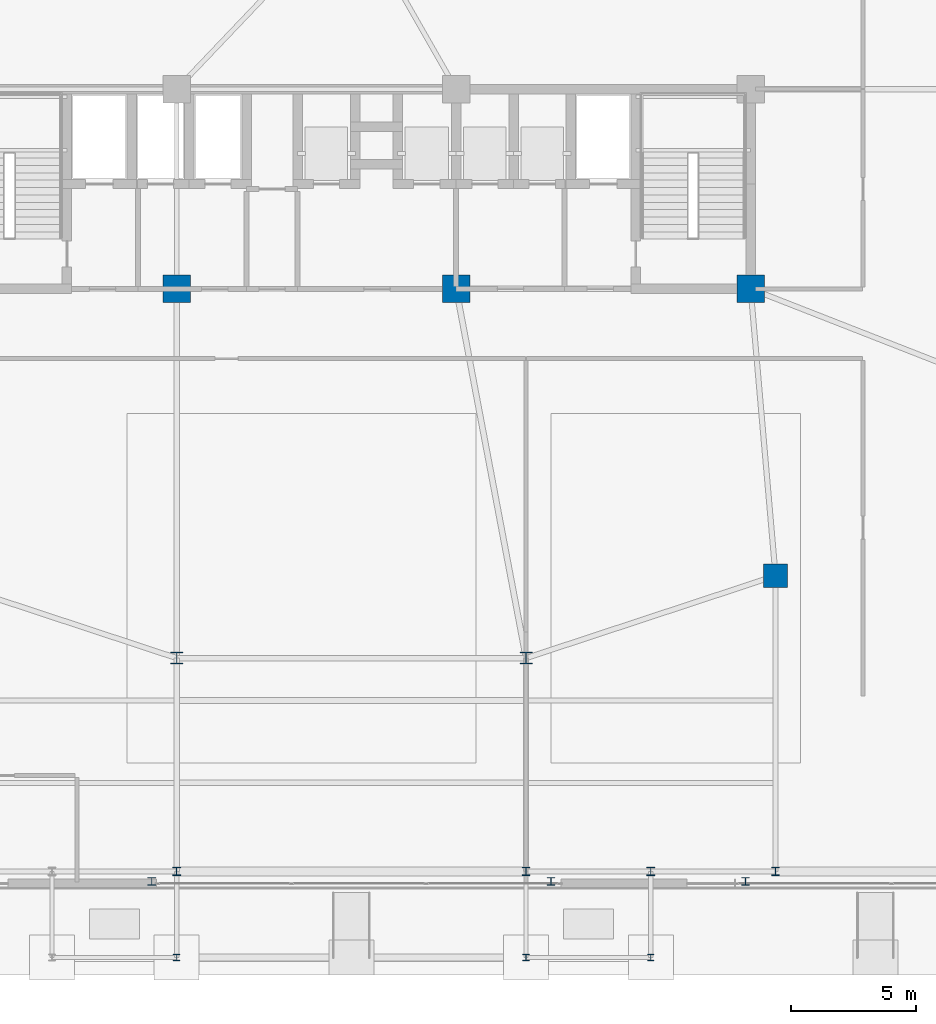
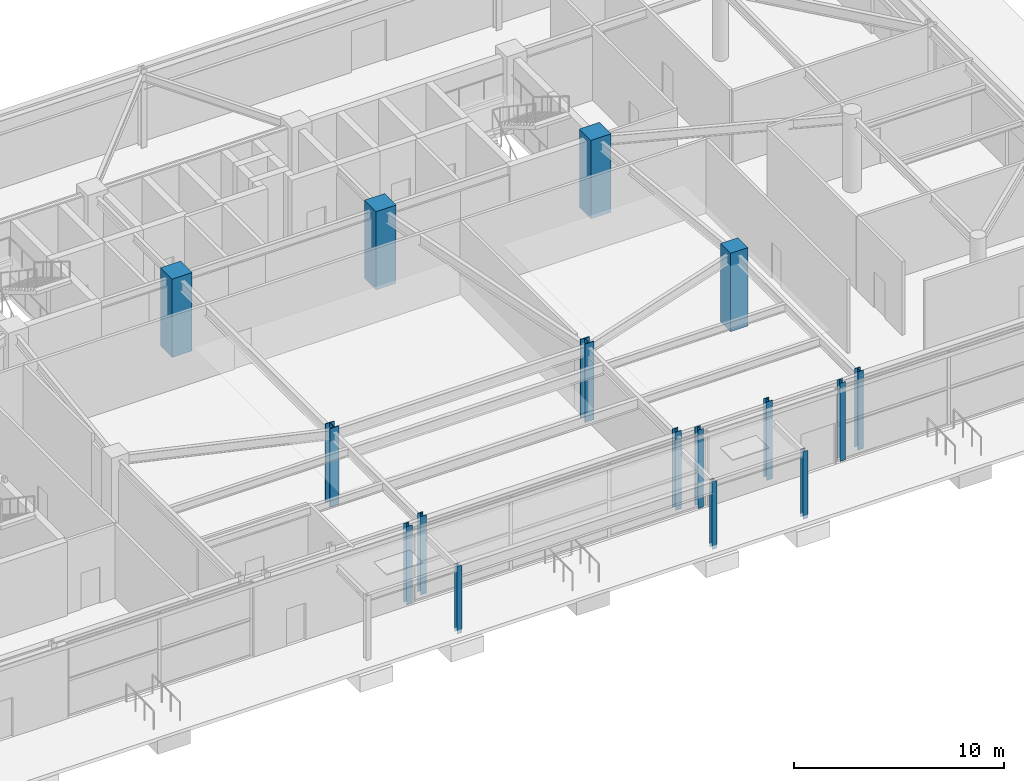
# One storey, part 4 of 29: 16 columns.
"""IFC4 building model written with IfcOpenShell, lengths in metres."""

from ifc_helpers import new_model, si_unit, direction, frame, origin, origin_2d, place, context, subcontext, project, spatial, rectangle, i_section, extrude, source, transform, mapped, material, material_profile, profile_set, type_object, element, save


model = new_model("IFC4")

# Units and contexts
model_context = context("Model", 3, precision=1e-05, world=origin(), true_north=direction((0.0, 1.0)))
body_context = subcontext(model_context, "Body", "Model", "MODEL_VIEW")
ifc_project = project(units=[si_unit("LENGTHUNIT", "METRE"), si_unit("AREAUNIT", "SQUARE_METRE"), si_unit("VOLUMEUNIT", "CUBIC_METRE"), si_unit("PLANEANGLEUNIT", "RADIAN"), si_unit("MASSUNIT", "GRAM", prefix="KILO")], contexts=[model_context])

# Site, building, storey
site_placement = place(None, origin())
site = spatial("IfcSite", under=ifc_project, at=site_placement, CompositionType="ELEMENT")
building_placement = place(site_placement, origin())
building = spatial("IfcBuilding", under=site, at=building_placement, Name="Taldren Reach Tower", CompositionType="ELEMENT")
storey_placement = place(building_placement, origin())
storey = spatial("IfcBuildingStorey", under=building, at=storey_placement, Name="L00", CompositionType="ELEMENT", Elevation=0.0)

# Columns
ifc_material_1 = material(Name="Steel Gr 350 (350PLUS)", Category="steel")
ifc_material_profile_1 = material_profile(ifc_material_1, i_section(OverallWidth=0.256103515625, OverallDepth=0.260009765625, WebThickness=0.010498046875, FlangeThickness=0.017333984375, at=origin_2d()), Name="250UC89.5")
ifc_profile_set_1 = profile_set([ifc_material_profile_1], Name="Steel Gr 350 (350PLUS)")
column_type_1 = type_object("IfcColumnType", Name="COL-UC250", PredefinedType="COLUMN", material=ifc_profile_set_1)
shared_shape_1 = source(origin(), body_context, "Body", "SweptSolid", [
    extrude(i_section(OverallWidth=0.256103515625, OverallDepth=0.260009765625, WebThickness=0.010498046875, FlangeThickness=0.017333984375, at=origin_2d()), origin(), (0.0, 0.0, 1.0), 3.929931640625),
])
for number, where, z_axis, x_axis, name in (
    (1, (28.0, -2.800048828125, -0.2099609375), (0.0, 0.0, 1.0), (1.0, 0.0, 0.0), "Canopy support post COL-CAN-2"),
    (2, (42.0, -2.800048828125, -0.2099609375), (0.0, 0.0, 1.0), (1.0, 0.0, 0.0), "Canopy support post COL-CAN-3"),
    (3, (47.0, -2.800048828125, -0.2099609375), (0.0, 0.0, 1.0), (1.0, 0.0, 0.0), "Canopy support post COL-CAN-4"),
):
    element("IfcColumn", number, at=place(storey_placement, frame(where, z_axis=z_axis, x_axis=x_axis)), inside=storey, type_object=column_type_1, Name=name, PredefinedType="COLUMN", context=body_context, shape_type="MappedRepresentation", body=[
        mapped(shared_shape_1, transform((0.0, 0.0, 0.0), scale=1.0)),
    ])
ifc_material_2 = material(Name="Concrete S100 (100 MPa)", Category="concrete")
ifc_material_profile_2 = material_profile(ifc_material_2, rectangle(XDim=1.10009765625, YDim=1.10009765625, at=origin_2d()), Name="RC-1100x1100")
ifc_profile_set_2 = profile_set([ifc_material_profile_2], Name="Concrete S100 (100 MPa)")
column_type_2 = type_object("IfcColumnType", Name="COL-RC1100", PredefinedType="COLUMN", material=ifc_profile_set_2)
shared_shape_2 = source(origin(), body_context, "Body", "SweptSolid", [
    extrude(rectangle(XDim=1.10009765625, YDim=1.10009765625, at=origin_2d()), origin(), (0.0, 0.0, 1.0), 4.550048828125),
])
for number, where, z_axis, x_axis, name in (
    (4, (28.0, 24.0, 0.0), (0.0, 0.0, 1.0), (1.0, 0.0, 0.0), "Mega column MC-C2 L00"),
    (5, (39.199951171875, 24.0, 0.0), (0.0, 0.0, 1.0), (1.0, 0.0, 0.0), "Mega column MC-C3 L00"),
    (6, (51.0, 24.0, 0.0), (0.0, 0.0, 1.0), (1.0, 0.0, 0.0), "Mega column MC-C4 L00"),
):
    element("IfcColumn", number, at=place(storey_placement, frame(where, z_axis=z_axis, x_axis=x_axis)), inside=storey, type_object=column_type_2, Name=name, PredefinedType="COLUMN", context=body_context, shape_type="MappedRepresentation", body=[
        mapped(shared_shape_2, transform((0.0, 0.0, 0.0), scale=1.0)),
    ])
ifc_material_profile_3 = material_profile(ifc_material_1, i_section(OverallWidth=0.5, OverallDepth=0.47998046875, WebThickness=0.028076171875, FlangeThickness=0.0439453125, at=origin_2d()), Name="500WC440")
ifc_profile_set_3 = profile_set([ifc_material_profile_3], Name="Steel Gr 350 (350PLUS)")
column_type_3 = type_object("IfcColumnType", Name="COL-WC500A", PredefinedType="COLUMN", material=ifc_profile_set_3)
shared_shape_3 = source(origin(), body_context, "Body", "SweptSolid", [
    extrude(i_section(OverallWidth=0.5, OverallDepth=0.47998046875, WebThickness=0.028076171875, FlangeThickness=0.0439453125, at=origin_2d()), origin(), (0.0, 0.0, 1.0), 4.550048828125),
])
for number, where, z_axis, x_axis, name in (
    (7, (28.0, 9.199951171875, 0.0), (0.0, 0.0, 1.0), (1.0, 0.0, 0.0), "Mega column MC-PJW L00"),
    (8, (42.0, 9.199951171875, 0.0), (0.0, 0.0, 1.0), (1.0, 0.0, 0.0), "Mega column MC-PJE L00"),
):
    element("IfcColumn", number, at=place(storey_placement, frame(where, z_axis=z_axis, x_axis=x_axis)), inside=storey, type_object=column_type_3, Name=name, PredefinedType="COLUMN", context=body_context, shape_type="MappedRepresentation", body=[
        mapped(shared_shape_3, transform((0.0, 0.0, 0.0), scale=1.0)),
    ])
ifc_material_3 = material(Name="Concrete S80 (80 MPa)", Category="concrete")
ifc_material_profile_4 = material_profile(ifc_material_3, rectangle(XDim=0.949951171875, YDim=0.949951171875, at=origin_2d()), Name="RC-950x950")
ifc_profile_set_4 = profile_set([ifc_material_profile_4], Name="Concrete S80 (80 MPa)")
column_type_4 = type_object("IfcColumnType", Name="COL-RC950", PredefinedType="COLUMN", material=ifc_profile_set_4)
shared_shape_4 = source(origin(), body_context, "Body", "SweptSolid", [
    extrude(rectangle(XDim=0.949951171875, YDim=0.949951171875, at=origin_2d()), origin(), (0.0, 0.0, 1.0), 4.550048828125),
])
column_placement = place(storey_placement, frame((52.0, 12.5, 0.0), z_axis=(0.0, 0.0, 1.0), x_axis=(1.0, 0.0, 0.0)))
element("IfcColumn", 9, at=column_placement, inside=storey, type_object=column_type_4, Name="Mega column MC-SE L00", PredefinedType="COLUMN", context=body_context, shape_type="MappedRepresentation", body=[
    mapped(shared_shape_4, transform((0.0, 0.0, 0.0), scale=1.0)),
])
ifc_material_profile_5 = material_profile(ifc_material_1, i_section(OverallWidth=0.31103515625, OverallDepth=0.326904296875, WebThickness=0.015625, FlangeThickness=0.02490234375, at=origin_2d()), Name="310UC158")
ifc_profile_set_5 = profile_set([ifc_material_profile_5], Name="Steel Gr 350 (350PLUS)")
column_type_5 = type_object("IfcColumnType", Name="COL-UC310A", PredefinedType="COLUMN", material=ifc_profile_set_5)
shared_shape_5 = source(origin(), body_context, "Body", "SweptSolid", [
    extrude(i_section(OverallWidth=0.31103515625, OverallDepth=0.326904296875, WebThickness=0.015625, FlangeThickness=0.02490234375, at=origin_2d()), origin(), (0.0, 0.0, 1.0), 4.550048828125),
])
for number, where, z_axis, x_axis, name in (
    (10, (28.0, 0.64990234375, 0.0), (0.0, 0.0, 1.0), (1.0, 0.0, 0.0), "Podium structural column PG-7 L00"),
    (11, (42.0, 0.64990234375, 0.0), (0.0, 0.0, 1.0), (1.0, 0.0, 0.0), "Podium structural column PG-8 L00"),
    (12, (47.0, 0.64990234375, 0.0), (0.0, 0.0, 1.0), (1.0, 0.0, 0.0), "Podium structural column PP-S3 L00"),
    (13, (52.0, 0.64990234375, 0.0), (0.0, 0.0, 1.0), (1.0, 0.0, 0.0), "Podium structural column PP-S4 L00"),
):
    element("IfcColumn", number, at=place(storey_placement, frame(where, z_axis=z_axis, x_axis=x_axis)), inside=storey, type_object=column_type_5, Name=name, PredefinedType="COLUMN", context=body_context, shape_type="MappedRepresentation", body=[
        mapped(shared_shape_5, transform((0.0, 0.0, 0.0), scale=1.0)),
    ])
ifc_material_profile_6 = material_profile(ifc_material_1, i_section(OverallWidth=0.306884765625, OverallDepth=0.31494140625, WebThickness=0.011962890625, FlangeThickness=0.018798828125, at=origin_2d()), Name="310UC118")
ifc_profile_set_6 = profile_set([ifc_material_profile_6], Name="Steel Gr 350 (350PLUS)")
column_type_6 = type_object("IfcColumnType", Name="PIL-UC310", PredefinedType="PILASTER", material=ifc_profile_set_6)
shared_shape_6 = source(origin(), body_context, "Body", "SweptSolid", [
    extrude(i_section(OverallWidth=0.306884765625, OverallDepth=0.31494140625, WebThickness=0.011962890625, FlangeThickness=0.018798828125, at=origin_2d()), origin(), (0.0, 0.0, 1.0), 4.550048828125),
])
for number, where, z_axis, x_axis, name in (
    (14, (27.0, 0.25, 0.0), (0.0, 0.0, 1.0), (1.0, 0.0, 0.0), "Waterfront colonnade pilaster S-27.0 L00"),
    (15, (43.0, 0.25, 0.0), (0.0, 0.0, 1.0), (1.0, 0.0, 0.0), "Waterfront colonnade pilaster S-43.0 L00"),
    (16, (50.800048828125, 0.25, 0.0), (0.0, 0.0, 1.0), (1.0, 0.0, 0.0), "Waterfront colonnade pilaster S-50.8 L00"),
):
    element("IfcColumn", number, at=place(storey_placement, frame(where, z_axis=z_axis, x_axis=x_axis)), inside=storey, type_object=column_type_6, Name=name, PredefinedType="PILASTER", context=body_context, shape_type="MappedRepresentation", body=[
        mapped(shared_shape_6, transform((0.0, 0.0, 0.0), scale=1.0)),
    ])

save(model, "model.ifc")
